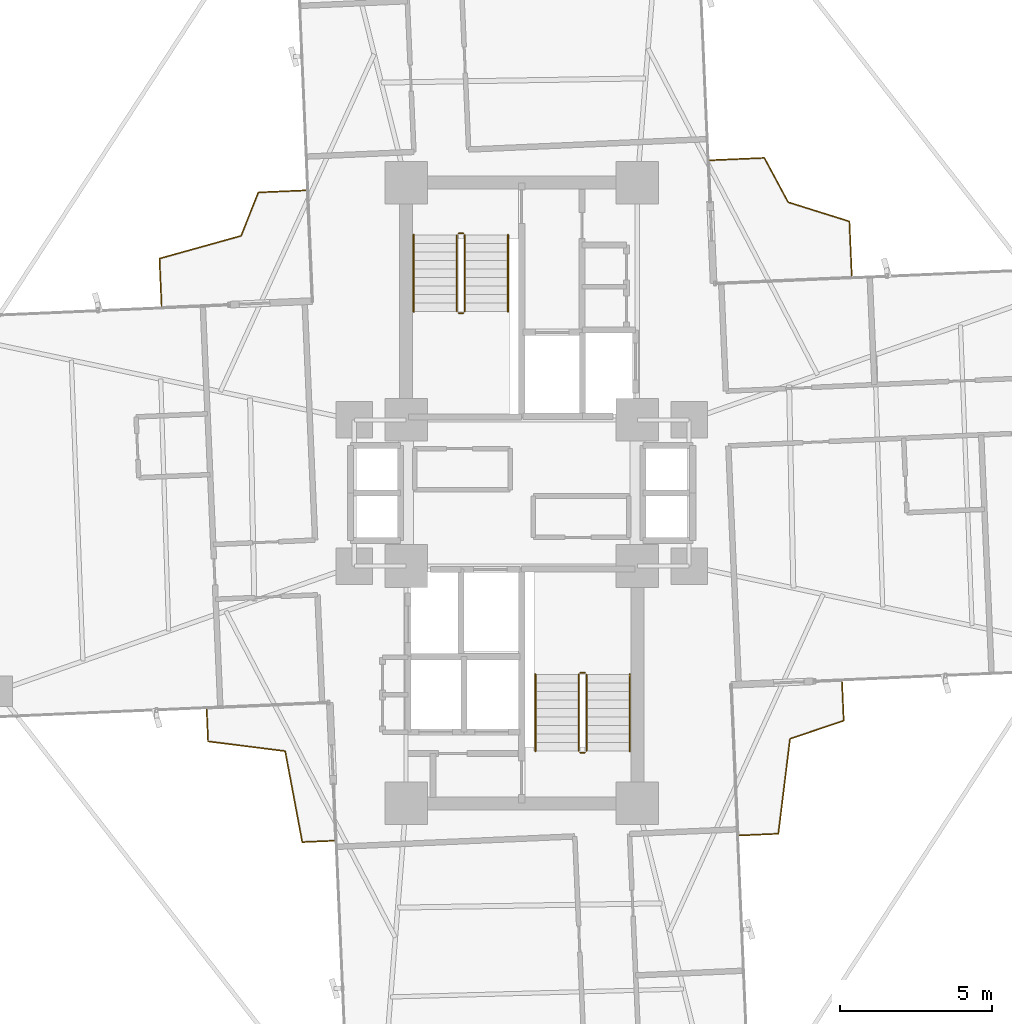
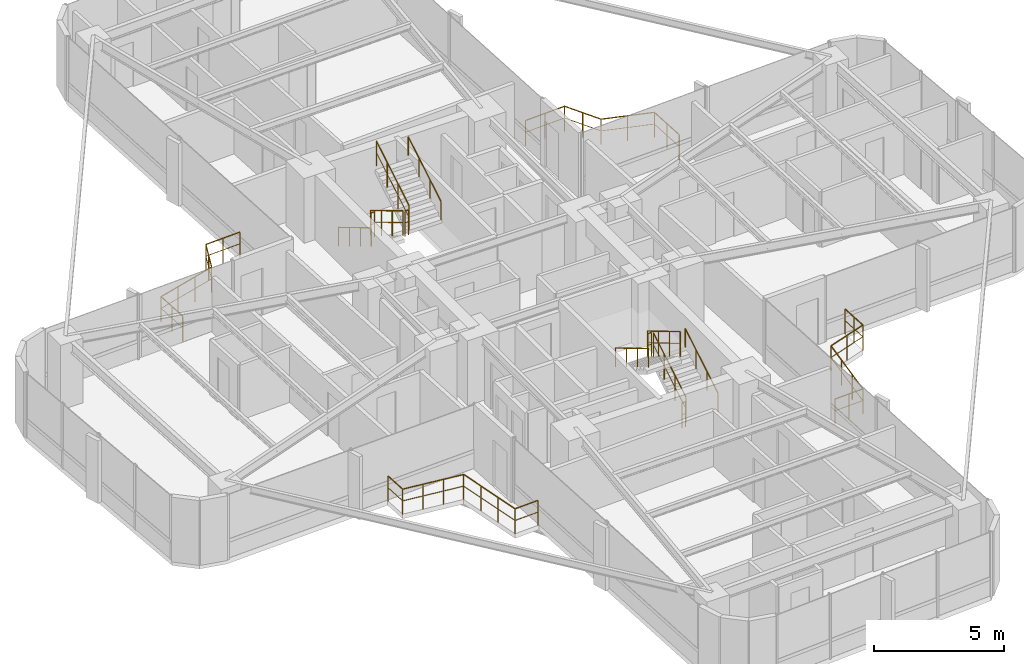
# One storey, part 27 of 27: 16 railings.
"""IFC4 building model written with IfcOpenShell, lengths in metres."""

from ifc_helpers import new_model, si_unit, direction, frame, origin, origin_2d, place, context, subcontext, project, spatial, circle, extrude, material, type_object, element, save


model = new_model("IFC4")

# Units and contexts
model_context = context("Model", 3, precision=1e-05, world=origin(), true_north=direction((0.0, 1.0)))
body_context = subcontext(model_context, "Body", "Model", "MODEL_VIEW")
ifc_project = project(units=[si_unit("LENGTHUNIT", "METRE"), si_unit("AREAUNIT", "SQUARE_METRE"), si_unit("VOLUMEUNIT", "CUBIC_METRE"), si_unit("PLANEANGLEUNIT", "RADIAN"), si_unit("MASSUNIT", "GRAM", prefix="KILO")], contexts=[model_context])

# Site, building, storey
site_placement = place(None, origin())
site = spatial("IfcSite", under=ifc_project, at=site_placement, CompositionType="ELEMENT")
building_placement = place(site_placement, origin())
building = spatial("IfcBuilding", under=site, at=building_placement, Name="Sahyath Konkavel Grand Hotel", CompositionType="ELEMENT")
storey_placement = place(building_placement, frame((0.0, 0.0, 103.60009765625)))
storey = spatial("IfcBuildingStorey", under=building, at=storey_placement, Name="L28", CompositionType="ELEMENT", Elevation=103.60009765625)

# Railings
ifc_material_1 = material(Name="Anodised Bronze Aluminium", Category="aluminium")
railing_type_1 = type_object("IfcRailingType", Name="RLG-BALC-1200", PredefinedType="GUARDRAIL", material=ifc_material_1)
railing_1_placement = place(storey_placement, frame((10.845947265625, 7.139892578125, 0.0)))
element("IfcRailing", 1, at=railing_1_placement, inside=storey, type_object=railing_type_1, Name="L28 Winter-Garden Guard NE", PredefinedType="GUARDRAIL", context=body_context, shape_type="SweptSolid", body=[
    extrude(circle(Radius=0.02392578125, at=origin_2d()), frame((0.0, 0.001953125, 1.17578125), z_axis=(-0.043603311881, 0.999048923323, 0.0), x_axis=(-0.999048923323, -0.043603311881, 0.0)), (0.0, 0.0, 1.0), 1.7822265625),
    extrude(circle(Radius=0.01416015625, at=origin_2d()), frame((0.0, 0.001953125, 0.6240234375), z_axis=(-0.043603311881, 0.999048923323, 0.0), x_axis=(-0.999048923323, -0.043603311881, 0.0)), (0.0, 0.0, 1.0), 1.7822265625),
    extrude(circle(Radius=0.02392578125, at=origin_2d()), frame((-0.079833984375, 1.784912109375, 1.17578125), z_axis=(-0.95424692245, 0.299019750175, 0.0), x_axis=(-0.299019750175, -0.95424692245, 0.0)), (0.0, 0.0, 1.0), 2.10498046875),
    extrude(circle(Radius=0.01416015625, at=origin_2d()), frame((-0.079833984375, 1.784912109375, 0.6240234375), z_axis=(-0.95424692245, 0.299019750175, 0.0), x_axis=(-0.299019750175, -0.95424692245, 0.0)), (0.0, 0.0, 1.0), 2.10498046875),
    extrude(circle(Radius=0.02392578125, at=origin_2d()), frame((-2.09130859375, 2.416748046875, 1.17578125), z_axis=(-0.473192441736, 0.880959087066, 0.0), x_axis=(-0.880959087066, -0.473192441736, 0.0)), (0.0, 0.0, 1.0), 1.649169921875),
    extrude(circle(Radius=0.01416015625, at=origin_2d()), frame((-2.09130859375, 2.416748046875, 0.6240234375), z_axis=(-0.473192441736, 0.880959087066, 0.0), x_axis=(-0.880959087066, -0.473192441736, 0.0)), (0.0, 0.0, 1.0), 1.649169921875),
    extrude(circle(Radius=0.02392578125, at=origin_2d()), frame((-2.87451171875, 3.871337890625, 1.17578125), z_axis=(-0.999048923323, -0.043603311881, 0.0), x_axis=(0.043603311881, -0.999048923323, 0.0)), (0.0, 0.0, 1.0), 1.7822265625),
    extrude(circle(Radius=0.01416015625, at=origin_2d()), frame((-2.87451171875, 3.871337890625, 0.6240234375), z_axis=(-0.999048923323, -0.043603311881, 0.0), x_axis=(0.043603311881, -0.999048923323, 0.0)), (0.0, 0.0, 1.0), 1.7822265625),
    extrude(circle(Radius=0.02099609375, at=origin_2d()), origin(), (0.0, 0.0, 1.0), 1.15185546875),
    extrude(circle(Radius=0.02099609375, at=origin_2d()), frame((-0.0390625, 0.89208984375, 0.0)), (0.0, 0.0, 1.0), 1.15185546875),
    extrude(circle(Radius=0.02099609375, at=origin_2d()), frame((-0.077880859375, 1.784423828125, 0.0)), (0.0, 0.0, 1.0), 1.15185546875),
    extrude(circle(Radius=0.02099609375, at=origin_2d()), frame((-1.083984375, 2.099609375, 0.0)), (0.0, 0.0, 1.0), 1.15185546875),
    extrude(circle(Radius=0.02099609375, at=origin_2d()), frame((-2.09033203125, 2.4150390625, 0.0)), (0.0, 0.0, 1.0), 1.15185546875),
    extrude(circle(Radius=0.02099609375, at=origin_2d()), frame((-2.4814453125, 3.14306640625, 0.0)), (0.0, 0.0, 1.0), 1.15185546875),
    extrude(circle(Radius=0.02099609375, at=origin_2d()), frame((-2.87255859375, 3.871337890625, 0.0)), (0.0, 0.0, 1.0), 1.15185546875),
    extrude(circle(Radius=0.02099609375, at=origin_2d()), frame((-3.7646484375, 3.83251953125, 0.0)), (0.0, 0.0, 1.0), 1.15185546875),
    extrude(circle(Radius=0.02099609375, at=origin_2d()), frame((-4.656982421875, 3.79345703125, 0.0)), (0.0, 0.0, 1.0), 1.15185546875),
])
railing_2_placement = place(storey_placement, frame((-7.1005859375, 9.94482421875, 0.0)))
element("IfcRailing", 2, at=railing_2_placement, inside=storey, type_object=railing_type_1, Name="L28 Winter-Garden Guard NW", PredefinedType="GUARDRAIL", context=body_context, shape_type="SweptSolid", body=[
    extrude(circle(Radius=0.02392578125, at=origin_2d()), frame((-0.001953125, 0.0, 1.17578125), z_axis=(-0.999047849254, -0.043627914246, 0.0), x_axis=(0.043627914246, -0.999047849254, 0.0)), (0.0, 0.0, 1.0), 1.5517578125),
    extrude(circle(Radius=0.01416015625, at=origin_2d()), frame((-0.001953125, 0.0, 0.6240234375), z_axis=(-0.999047849254, -0.043627914246, 0.0), x_axis=(0.043627914246, -0.999047849254, 0.0)), (0.0, 0.0, 1.0), 1.5517578125),
    extrude(circle(Radius=0.02392578125, at=origin_2d()), frame((-1.554931640625, -0.06982421875, 1.17578125), z_axis=(-0.369004673144, -0.929427539509, 0.0), x_axis=(0.929427539509, -0.369004673144, 0.0)), (0.0, 0.0, 1.0), 1.53173828125),
    extrude(circle(Radius=0.01416015625, at=origin_2d()), frame((-1.554931640625, -0.06982421875, 0.6240234375), z_axis=(-0.369004673144, -0.929427539509, 0.0), x_axis=(0.929427539509, -0.369004673144, 0.0)), (0.0, 0.0, 1.0), 1.53173828125),
    extrude(circle(Radius=0.02392578125, at=origin_2d()), frame((-2.122802734375, -1.49560546875, 1.17578125), z_axis=(-0.963410993027, -0.268028465868, 0.0), x_axis=(0.268028465868, -0.963410993027, 0.0)), (0.0, 0.0, 1.0), 2.77880859375),
    extrude(circle(Radius=0.01416015625, at=origin_2d()), frame((-2.122802734375, -1.49560546875, 0.6240234375), z_axis=(-0.963410993027, -0.268028465868, 0.0), x_axis=(0.268028465868, -0.963410993027, 0.0)), (0.0, 0.0, 1.0), 2.77880859375),
    extrude(circle(Radius=0.02392578125, at=origin_2d()), frame((-4.8017578125, -2.242919921875, 1.17578125), z_axis=(0.043627914246, -0.999047849254, 0.0), x_axis=(0.999047849254, 0.043627914246, 0.0)), (0.0, 0.0, 1.0), 1.5517578125),
    extrude(circle(Radius=0.01416015625, at=origin_2d()), frame((-4.8017578125, -2.242919921875, 0.6240234375), z_axis=(0.043627914246, -0.999047849254, 0.0), x_axis=(0.999047849254, 0.043627914246, 0.0)), (0.0, 0.0, 1.0), 1.5517578125),
    extrude(circle(Radius=0.02099609375, at=origin_2d()), origin(), (0.0, 0.0, 1.0), 1.15185546875),
    extrude(circle(Radius=0.02099609375, at=origin_2d()), frame((-0.777099609375, -0.033935546875, 0.0)), (0.0, 0.0, 1.0), 1.15185546875),
    extrude(circle(Radius=0.02099609375, at=origin_2d()), frame((-1.55419921875, -0.06787109375, 0.0)), (0.0, 0.0, 1.0), 1.15185546875),
    extrude(circle(Radius=0.02099609375, at=origin_2d()), frame((-1.83740234375, -0.781494140625, 0.0)), (0.0, 0.0, 1.0), 1.15185546875),
    extrude(circle(Radius=0.02099609375, at=origin_2d()), frame((-2.120849609375, -1.4951171875, 0.0)), (0.0, 0.0, 1.0), 1.15185546875),
    extrude(circle(Radius=0.02099609375, at=origin_2d()), frame((-3.014404296875, -1.74365234375, 0.0)), (0.0, 0.0, 1.0), 1.15185546875),
    extrude(circle(Radius=0.02099609375, at=origin_2d()), frame((-3.908203125, -1.992431640625, 0.0)), (0.0, 0.0, 1.0), 1.15185546875),
    extrude(circle(Radius=0.02099609375, at=origin_2d()), frame((-4.8017578125, -2.240966796875, 0.0)), (0.0, 0.0, 1.0), 1.15185546875),
    extrude(circle(Radius=0.02099609375, at=origin_2d()), frame((-4.767822265625, -3.01806640625, 0.0)), (0.0, 0.0, 1.0), 1.15185546875),
    extrude(circle(Radius=0.02099609375, at=origin_2d()), frame((-4.73388671875, -3.795166015625, 0.0)), (0.0, 0.0, 1.0), 1.15185546875),
])
railing_3_placement = place(storey_placement, frame((-10.352294921875, -7.118408203125, 0.0)))
element("IfcRailing", 3, at=railing_3_placement, inside=storey, type_object=railing_type_1, Name="L28 Winter-Garden Guard SW", PredefinedType="GUARDRAIL", context=body_context, shape_type="SweptSolid", body=[
    extrude(circle(Radius=0.02392578125, at=origin_2d()), frame((0.0, -0.001953125, 1.17578125), z_axis=(0.04364994576, -0.999046886905, 0.0), x_axis=(0.999046886905, 0.04364994576, 0.0)), (0.0, 0.0, 1.0), 1.0419921875),
    extrude(circle(Radius=0.01416015625, at=origin_2d()), frame((0.0, -0.001953125, 0.6240234375), z_axis=(0.04364994576, -0.999046886905, 0.0), x_axis=(0.999046886905, 0.04364994576, 0.0)), (0.0, 0.0, 1.0), 1.0419921875),
    extrude(circle(Radius=0.02392578125, at=origin_2d()), frame((0.047607421875, -1.045166015625, 1.17578125), z_axis=(0.992124134389, -0.125258540483, 0.0), x_axis=(0.125258540483, 0.992124134389, 0.0)), (0.0, 0.0, 1.0), 2.54931640625),
    extrude(circle(Radius=0.01416015625, at=origin_2d()), frame((0.047607421875, -1.045166015625, 0.6240234375), z_axis=(0.992124134389, -0.125258540483, 0.0), x_axis=(0.125258540483, 0.992124134389, 0.0)), (0.0, 0.0, 1.0), 2.54931640625),
    extrude(circle(Radius=0.02392578125, at=origin_2d()), frame((2.579345703125, -1.36669921875, 1.17578125), z_axis=(0.184463008217, -0.982839457185, 0.0), x_axis=(0.982839457185, 0.184463008217, 0.0)), (0.0, 0.0, 1.0), 3.037353515625),
    extrude(circle(Radius=0.01416015625, at=origin_2d()), frame((2.579345703125, -1.36669921875, 0.6240234375), z_axis=(0.184463008217, -0.982839457185, 0.0), x_axis=(0.982839457185, 0.184463008217, 0.0)), (0.0, 0.0, 1.0), 3.037353515625),
    extrude(circle(Radius=0.02392578125, at=origin_2d()), frame((3.141845703125, -4.35400390625, 1.17578125), z_axis=(0.999057038997, 0.043416964779, 0.0), x_axis=(-0.043416964779, 0.999057038997, 0.0)), (0.0, 0.0, 1.0), 1.0419921875),
    extrude(circle(Radius=0.01416015625, at=origin_2d()), frame((3.141845703125, -4.35400390625, 0.6240234375), z_axis=(0.999057038997, 0.043416964779, 0.0), x_axis=(-0.043416964779, 0.999057038997, 0.0)), (0.0, 0.0, 1.0), 1.0419921875),
    extrude(circle(Radius=0.02099609375, at=origin_2d()), origin(), (0.0, 0.0, 1.0), 1.15185546875),
    extrude(circle(Radius=0.02099609375, at=origin_2d()), frame((0.045654296875, -1.044921875, 0.0)), (0.0, 0.0, 1.0), 1.15185546875),
    extrude(circle(Radius=0.02099609375, at=origin_2d()), frame((0.89013671875, -1.151611328125, 0.0)), (0.0, 0.0, 1.0), 1.15185546875),
    extrude(circle(Radius=0.02099609375, at=origin_2d()), frame((1.734375, -1.258056640625, 0.0)), (0.0, 0.0, 1.0), 1.15185546875),
    extrude(circle(Radius=0.02099609375, at=origin_2d()), frame((2.578857421875, -1.36474609375, 0.0)), (0.0, 0.0, 1.0), 1.15185546875),
    extrude(circle(Radius=0.02099609375, at=origin_2d()), frame((2.765869140625, -2.361083984375, 0.0)), (0.0, 0.0, 1.0), 1.15185546875),
    extrude(circle(Radius=0.02099609375, at=origin_2d()), frame((2.952880859375, -3.357666015625, 0.0)), (0.0, 0.0, 1.0), 1.15185546875),
    extrude(circle(Radius=0.02099609375, at=origin_2d()), frame((3.139892578125, -4.35400390625, 0.0)), (0.0, 0.0, 1.0), 1.15185546875),
    extrude(circle(Radius=0.02099609375, at=origin_2d()), frame((4.184814453125, -4.30859375, 0.0)), (0.0, 0.0, 1.0), 1.15185546875),
])
railing_4_placement = place(storey_placement, frame((7.15771484375, -11.25341796875, 0.0)))
element("IfcRailing", 4, at=railing_4_placement, inside=storey, type_object=railing_type_1, Name="L28 Winter-Garden Guard SE", PredefinedType="GUARDRAIL", context=body_context, shape_type="SweptSolid", body=[
    extrude(circle(Radius=0.02392578125, at=origin_2d()), frame((0.001953125, 0.0, 1.17578125), z_axis=(0.999048564181, 0.043611539849, 0.0), x_axis=(-0.043611539849, 0.999048564181, 0.0)), (0.0, 0.0, 1.0), 1.2724609375),
    extrude(circle(Radius=0.01416015625, at=origin_2d()), frame((0.001953125, 0.0, 0.6240234375), z_axis=(0.999048564181, 0.043611539849, 0.0), x_axis=(-0.043611539849, 0.999048564181, 0.0)), (0.0, 0.0, 1.0), 1.2724609375),
    extrude(circle(Radius=0.02392578125, at=origin_2d()), frame((1.275390625, 0.0576171875, 1.17578125), z_axis=(0.122217608811, 0.992503328003, 0.0), x_axis=(-0.992503328003, 0.122217608811, 0.0)), (0.0, 0.0, 1.0), 3.13818359375),
    extrude(circle(Radius=0.01416015625, at=origin_2d()), frame((1.275390625, 0.0576171875, 0.6240234375), z_axis=(0.122217608811, 0.992503328003, 0.0), x_axis=(-0.992503328003, 0.122217608811, 0.0)), (0.0, 0.0, 1.0), 3.13818359375),
    extrude(circle(Radius=0.02392578125, at=origin_2d()), frame((1.6611328125, 3.175048828125, 1.17578125), z_axis=(0.947218418868, 0.320588937671, 0.0), x_axis=(-0.320588937671, 0.947218418868, 0.0)), (0.0, 0.0, 1.0), 1.858642578125),
    extrude(circle(Radius=0.01416015625, at=origin_2d()), frame((1.6611328125, 3.175048828125, 0.6240234375), z_axis=(0.947218418868, 0.320588937671, 0.0), x_axis=(-0.320588937671, 0.947218418868, 0.0)), (0.0, 0.0, 1.0), 1.858642578125),
    extrude(circle(Radius=0.02392578125, at=origin_2d()), frame((3.423583984375, 3.7734375, 1.17578125), z_axis=(-0.043611539849, 0.999048564181, 0.0), x_axis=(-0.999048564181, -0.043611539849, 0.0)), (0.0, 0.0, 1.0), 1.2724609375),
    extrude(circle(Radius=0.01416015625, at=origin_2d()), frame((3.423583984375, 3.7734375, 0.6240234375), z_axis=(-0.043611539849, 0.999048564181, 0.0), x_axis=(-0.999048564181, -0.043611539849, 0.0)), (0.0, 0.0, 1.0), 1.2724609375),
    extrude(circle(Radius=0.02099609375, at=origin_2d()), origin(), (0.0, 0.0, 1.0), 1.15185546875),
    extrude(circle(Radius=0.02099609375, at=origin_2d()), frame((0.6376953125, 0.02783203125, 0.0)), (0.0, 0.0, 1.0), 1.15185546875),
    extrude(circle(Radius=0.02099609375, at=origin_2d()), frame((1.275146484375, 0.0556640625, 0.0)), (0.0, 0.0, 1.0), 1.15185546875),
    extrude(circle(Radius=0.02099609375, at=origin_2d()), frame((1.403076171875, 1.09521484375, 0.0)), (0.0, 0.0, 1.0), 1.15185546875),
    extrude(circle(Radius=0.02099609375, at=origin_2d()), frame((1.53125, 2.134765625, 0.0)), (0.0, 0.0, 1.0), 1.15185546875),
    extrude(circle(Radius=0.02099609375, at=origin_2d()), frame((1.6591796875, 3.17431640625, 0.0)), (0.0, 0.0, 1.0), 1.15185546875),
    extrude(circle(Radius=0.02099609375, at=origin_2d()), frame((2.54150390625, 3.472900390625, 0.0)), (0.0, 0.0, 1.0), 1.15185546875),
    extrude(circle(Radius=0.02099609375, at=origin_2d()), frame((3.423583984375, 3.771484375, 0.0)), (0.0, 0.0, 1.0), 1.15185546875),
    extrude(circle(Radius=0.02099609375, at=origin_2d()), frame((3.395751953125, 4.4091796875, 0.0)), (0.0, 0.0, 1.0), 1.15185546875),
    extrude(circle(Radius=0.02099609375, at=origin_2d()), frame((3.367919921875, 5.046630859375, 0.0)), (0.0, 0.0, 1.0), 1.15185546875),
])
ifc_material_2 = material(Name="Steel E350", Category="steel")
railing_type_2 = type_object("IfcRailingType", Name="RLG-STAIR-GRD", PredefinedType="GUARDRAIL", material=ifc_material_2)
railing_5_placement = place(storey_placement, frame((-2.1298828125, 8.47998046875, 0.16748046875)))
element("IfcRailing", 5, at=railing_5_placement, inside=storey, type_object=railing_type_2, Name="L28 ST-1 stair guard 1", PredefinedType="GUARDRAIL", context=body_context, shape_type="SweptSolid", body=[
    extrude(circle(Radius=0.02392578125, at=origin_2d()), frame((0.0, -0.001708984375, 1.177001953125), z_axis=(0.0, -0.858196387827, 0.513321497621), x_axis=(1.0, 0.0, 0.0)), (0.0, 0.0, 1.0), 2.932373046875),
    extrude(circle(Radius=0.01416015625, at=origin_2d()), frame((0.0, -0.001708984375, 0.625), z_axis=(0.0, -0.858196387827, 0.513321497621), x_axis=(1.0, 0.0, 0.0)), (0.0, 0.0, 1.0), 2.932373046875),
    extrude(circle(Radius=0.02099609375, at=origin_2d()), origin(), (0.0, 0.0, 1.0), 1.15185546875),
    extrude(circle(Radius=0.02099609375, at=origin_2d()), frame((0.0, -0.840087890625, 0.50244140625)), (0.0, 0.0, 1.0), 1.15185546875),
    extrude(circle(Radius=0.02099609375, at=origin_2d()), frame((0.0, -1.679931640625, 1.0048828125)), (0.0, 0.0, 1.0), 1.15185546875),
    extrude(circle(Radius=0.02099609375, at=origin_2d()), frame((0.0, -2.52001953125, 1.50732421875)), (0.0, 0.0, 1.0), 1.15185546875),
])
railing_6_placement = place(storey_placement, frame((-2.080078125, 5.909912109375, 1.6748046875)))
element("IfcRailing", 6, at=railing_6_placement, inside=storey, type_object=railing_type_2, Name="L28 ST-1 stair guard 2", PredefinedType="GUARDRAIL", context=body_context, shape_type="SweptSolid", body=[
    extrude(circle(Radius=0.02392578125, at=origin_2d()), frame((0.001953125, 0.0, 1.17578125), z_axis=(1.0, 0.0, 0.0), x_axis=(0.0, 1.0, 0.0)), (0.0, 0.0, 1.0), 0.15625),
    extrude(circle(Radius=0.01416015625, at=origin_2d()), frame((0.001953125, 0.0, 0.6240234375), z_axis=(1.0, 0.0, 0.0), x_axis=(0.0, 1.0, 0.0)), (0.0, 0.0, 1.0), 0.15625),
    extrude(circle(Radius=0.02099609375, at=origin_2d()), origin(), (0.0, 0.0, 1.0), 1.15185546875),
    extrude(circle(Radius=0.02099609375, at=origin_2d()), frame((0.16015625, 0.0, 0.0)), (0.0, 0.0, 1.0), 1.15185546875),
])
railing_7_placement = place(storey_placement, frame((-1.8701171875, 5.9599609375, 1.84228515625)))
element("IfcRailing", 7, at=railing_7_placement, inside=storey, type_object=railing_type_2, Name="L28 ST-1 stair guard 3", PredefinedType="GUARDRAIL", context=body_context, shape_type="SweptSolid", body=[
    extrude(circle(Radius=0.02392578125, at=origin_2d()), frame((0.0, 0.001708984375, 1.177001953125), z_axis=(0.0, 0.858159760407, 0.513382728203), x_axis=(-1.0, 0.0, 0.0)), (0.0, 0.0, 1.0), 2.9326171875),
    extrude(circle(Radius=0.01416015625, at=origin_2d()), frame((0.0, 0.001708984375, 0.625), z_axis=(0.0, 0.858159760407, 0.513382728203), x_axis=(-1.0, 0.0, 0.0)), (0.0, 0.0, 1.0), 2.9326171875),
    extrude(circle(Radius=0.02099609375, at=origin_2d()), origin(), (0.0, 0.0, 1.0), 1.15185546875),
    extrude(circle(Radius=0.02099609375, at=origin_2d()), frame((0.0, 0.840087890625, 0.50244140625)), (0.0, 0.0, 1.0), 1.15185546875),
    extrude(circle(Radius=0.02099609375, at=origin_2d()), frame((0.0, 1.679931640625, 1.005126953125)), (0.0, 0.0, 1.0), 1.15185546875),
    extrude(circle(Radius=0.02099609375, at=origin_2d()), frame((0.0, 2.52001953125, 1.507568359375)), (0.0, 0.0, 1.0), 1.15185546875),
])
railing_8_placement = place(storey_placement, frame((-2.080078125, 8.530029296875, 0.0)))
element("IfcRailing", 8, at=railing_8_placement, inside=storey, type_object=railing_type_2, Name="L28 ST-1 stair guard 4", PredefinedType="GUARDRAIL", context=body_context, shape_type="SweptSolid", body=[
    extrude(circle(Radius=0.02392578125, at=origin_2d()), frame((0.001953125, 0.0, 1.17578125), z_axis=(1.0, 0.0, 0.0), x_axis=(0.0, 1.0, 0.0)), (0.0, 0.0, 1.0), 0.15625),
    extrude(circle(Radius=0.01416015625, at=origin_2d()), frame((0.001953125, 0.0, 0.6240234375), z_axis=(1.0, 0.0, 0.0), x_axis=(0.0, 1.0, 0.0)), (0.0, 0.0, 1.0), 0.15625),
    extrude(circle(Radius=0.02099609375, at=origin_2d()), origin(), (0.0, 0.0, 1.0), 1.15185546875),
    extrude(circle(Radius=0.02099609375, at=origin_2d()), frame((0.16015625, 0.0, 0.0)), (0.0, 0.0, 1.0), 1.15185546875),
])
railing_9_placement = place(storey_placement, frame((2.1298828125, -8.47998046875, 0.16748046875)))
element("IfcRailing", 9, at=railing_9_placement, inside=storey, type_object=railing_type_2, Name="L28 ST-2 stair guard 1", PredefinedType="GUARDRAIL", context=body_context, shape_type="SweptSolid", body=[
    extrude(circle(Radius=0.02392578125, at=origin_2d()), frame((0.0, 0.001708984375, 1.177001953125), z_axis=(0.0, 0.858196387827, 0.513321497621), x_axis=(-1.0, 0.0, 0.0)), (0.0, 0.0, 1.0), 2.932373046875),
    extrude(circle(Radius=0.01416015625, at=origin_2d()), frame((0.0, 0.001708984375, 0.625), z_axis=(0.0, 0.858196387827, 0.513321497621), x_axis=(-1.0, 0.0, 0.0)), (0.0, 0.0, 1.0), 2.932373046875),
    extrude(circle(Radius=0.02099609375, at=origin_2d()), origin(), (0.0, 0.0, 1.0), 1.15185546875),
    extrude(circle(Radius=0.02099609375, at=origin_2d()), frame((0.0, 0.840087890625, 0.50244140625)), (0.0, 0.0, 1.0), 1.15185546875),
    extrude(circle(Radius=0.02099609375, at=origin_2d()), frame((0.0, 1.679931640625, 1.0048828125)), (0.0, 0.0, 1.0), 1.15185546875),
    extrude(circle(Radius=0.02099609375, at=origin_2d()), frame((0.0, 2.52001953125, 1.50732421875)), (0.0, 0.0, 1.0), 1.15185546875),
])
railing_10_placement = place(storey_placement, frame((2.080078125, -5.909912109375, 1.6748046875)))
element("IfcRailing", 10, at=railing_10_placement, inside=storey, type_object=railing_type_2, Name="L28 ST-2 stair guard 2", PredefinedType="GUARDRAIL", context=body_context, shape_type="SweptSolid", body=[
    extrude(circle(Radius=0.02392578125, at=origin_2d()), frame((-0.001953125, 0.0, 1.17578125), z_axis=(-1.0, 0.0, 0.0), x_axis=(0.0, -1.0, 0.0)), (0.0, 0.0, 1.0), 0.15625),
    extrude(circle(Radius=0.01416015625, at=origin_2d()), frame((-0.001953125, 0.0, 0.6240234375), z_axis=(-1.0, 0.0, 0.0), x_axis=(0.0, -1.0, 0.0)), (0.0, 0.0, 1.0), 0.15625),
    extrude(circle(Radius=0.02099609375, at=origin_2d()), origin(), (0.0, 0.0, 1.0), 1.15185546875),
    extrude(circle(Radius=0.02099609375, at=origin_2d()), frame((-0.16015625, 0.0, 0.0)), (0.0, 0.0, 1.0), 1.15185546875),
])
railing_11_placement = place(storey_placement, frame((1.8701171875, -5.9599609375, 1.84228515625)))
element("IfcRailing", 11, at=railing_11_placement, inside=storey, type_object=railing_type_2, Name="L28 ST-2 stair guard 3", PredefinedType="GUARDRAIL", context=body_context, shape_type="SweptSolid", body=[
    extrude(circle(Radius=0.02392578125, at=origin_2d()), frame((0.0, -0.001708984375, 1.177001953125), z_axis=(0.0, -0.858159760407, 0.513382728203), x_axis=(1.0, 0.0, 0.0)), (0.0, 0.0, 1.0), 2.9326171875),
    extrude(circle(Radius=0.01416015625, at=origin_2d()), frame((0.0, -0.001708984375, 0.625), z_axis=(0.0, -0.858159760407, 0.513382728203), x_axis=(1.0, 0.0, 0.0)), (0.0, 0.0, 1.0), 2.9326171875),
    extrude(circle(Radius=0.02099609375, at=origin_2d()), origin(), (0.0, 0.0, 1.0), 1.15185546875),
    extrude(circle(Radius=0.02099609375, at=origin_2d()), frame((0.0, -0.840087890625, 0.50244140625)), (0.0, 0.0, 1.0), 1.15185546875),
    extrude(circle(Radius=0.02099609375, at=origin_2d()), frame((0.0, -1.679931640625, 1.005126953125)), (0.0, 0.0, 1.0), 1.15185546875),
    extrude(circle(Radius=0.02099609375, at=origin_2d()), frame((0.0, -2.52001953125, 1.507568359375)), (0.0, 0.0, 1.0), 1.15185546875),
])
railing_12_placement = place(storey_placement, frame((2.080078125, -8.530029296875, 0.0)))
element("IfcRailing", 12, at=railing_12_placement, inside=storey, type_object=railing_type_2, Name="L28 ST-2 stair guard 4", PredefinedType="GUARDRAIL", context=body_context, shape_type="SweptSolid", body=[
    extrude(circle(Radius=0.02392578125, at=origin_2d()), frame((-0.001953125, 0.0, 1.17578125), z_axis=(-1.0, 0.0, 0.0), x_axis=(0.0, -1.0, 0.0)), (0.0, 0.0, 1.0), 0.15625),
    extrude(circle(Radius=0.01416015625, at=origin_2d()), frame((-0.001953125, 0.0, 0.6240234375), z_axis=(-1.0, 0.0, 0.0), x_axis=(0.0, -1.0, 0.0)), (0.0, 0.0, 1.0), 0.15625),
    extrude(circle(Radius=0.02099609375, at=origin_2d()), origin(), (0.0, 0.0, 1.0), 1.15185546875),
    extrude(circle(Radius=0.02099609375, at=origin_2d()), frame((-0.16015625, 0.0, 0.0)), (0.0, 0.0, 1.0), 1.15185546875),
])
railing_type_3 = type_object("IfcRailingType", Name="RLG-STAIR-HND", PredefinedType="HANDRAIL", material=ifc_material_1)
railing_13_placement = place(storey_placement, frame((-3.550048828125, 8.47998046875, 0.16748046875)))
element("IfcRailing", 13, at=railing_13_placement, inside=storey, type_object=railing_type_3, Name="L28 ST-1 stair handrail 1", PredefinedType="HANDRAIL", context=body_context, shape_type="SweptSolid", body=[
    extrude(circle(Radius=0.02392578125, at=origin_2d()), frame((0.0, -0.001708984375, 0.876953125), z_axis=(0.0, -0.858196387827, 0.513321497621), x_axis=(1.0, 0.0, 0.0)), (0.0, 0.0, 1.0), 2.932373046875),
    extrude(circle(Radius=0.02099609375, at=origin_2d()), origin(), (0.0, 0.0, 1.0), 0.851806640625),
    extrude(circle(Radius=0.02099609375, at=origin_2d()), frame((0.0, -0.840087890625, 0.50244140625)), (0.0, 0.0, 1.0), 0.851806640625),
    extrude(circle(Radius=0.02099609375, at=origin_2d()), frame((0.0, -1.679931640625, 1.0048828125)), (0.0, 0.0, 1.0), 0.851806640625),
    extrude(circle(Radius=0.02099609375, at=origin_2d()), frame((0.0, -2.52001953125, 1.50732421875)), (0.0, 0.0, 1.0), 0.851806640625),
])
railing_14_placement = place(storey_placement, frame((-0.449951171875, 5.9599609375, 1.84228515625)))
element("IfcRailing", 14, at=railing_14_placement, inside=storey, type_object=railing_type_3, Name="L28 ST-1 stair handrail 2", PredefinedType="HANDRAIL", context=body_context, shape_type="SweptSolid", body=[
    extrude(circle(Radius=0.02392578125, at=origin_2d()), frame((0.0, 0.001708984375, 0.876953125), z_axis=(0.0, 0.858159760407, 0.513382728203), x_axis=(-1.0, 0.0, 0.0)), (0.0, 0.0, 1.0), 2.9326171875),
    extrude(circle(Radius=0.02099609375, at=origin_2d()), origin(), (0.0, 0.0, 1.0), 0.851806640625),
    extrude(circle(Radius=0.02099609375, at=origin_2d()), frame((0.0, 0.840087890625, 0.50244140625)), (0.0, 0.0, 1.0), 0.851806640625),
    extrude(circle(Radius=0.02099609375, at=origin_2d()), frame((0.0, 1.679931640625, 1.005126953125)), (0.0, 0.0, 1.0), 0.851806640625),
    extrude(circle(Radius=0.02099609375, at=origin_2d()), frame((0.0, 2.52001953125, 1.507568359375)), (0.0, 0.0, 1.0), 0.851806640625),
])
railing_15_placement = place(storey_placement, frame((3.550048828125, -8.47998046875, 0.16748046875)))
element("IfcRailing", 15, at=railing_15_placement, inside=storey, type_object=railing_type_3, Name="L28 ST-2 stair handrail 1", PredefinedType="HANDRAIL", context=body_context, shape_type="SweptSolid", body=[
    extrude(circle(Radius=0.02392578125, at=origin_2d()), frame((0.0, 0.001708984375, 0.876953125), z_axis=(0.0, 0.858196387827, 0.513321497621), x_axis=(-1.0, 0.0, 0.0)), (0.0, 0.0, 1.0), 2.932373046875),
    extrude(circle(Radius=0.02099609375, at=origin_2d()), origin(), (0.0, 0.0, 1.0), 0.851806640625),
    extrude(circle(Radius=0.02099609375, at=origin_2d()), frame((0.0, 0.840087890625, 0.50244140625)), (0.0, 0.0, 1.0), 0.851806640625),
    extrude(circle(Radius=0.02099609375, at=origin_2d()), frame((0.0, 1.679931640625, 1.0048828125)), (0.0, 0.0, 1.0), 0.851806640625),
    extrude(circle(Radius=0.02099609375, at=origin_2d()), frame((0.0, 2.52001953125, 1.50732421875)), (0.0, 0.0, 1.0), 0.851806640625),
])
railing_16_placement = place(storey_placement, frame((0.449951171875, -5.9599609375, 1.84228515625)))
element("IfcRailing", 16, at=railing_16_placement, inside=storey, type_object=railing_type_3, Name="L28 ST-2 stair handrail 2", PredefinedType="HANDRAIL", context=body_context, shape_type="SweptSolid", body=[
    extrude(circle(Radius=0.02392578125, at=origin_2d()), frame((0.0, -0.001708984375, 0.876953125), z_axis=(0.0, -0.858159760407, 0.513382728203), x_axis=(1.0, 0.0, 0.0)), (0.0, 0.0, 1.0), 2.9326171875),
    extrude(circle(Radius=0.02099609375, at=origin_2d()), origin(), (0.0, 0.0, 1.0), 0.851806640625),
    extrude(circle(Radius=0.02099609375, at=origin_2d()), frame((0.0, -0.840087890625, 0.50244140625)), (0.0, 0.0, 1.0), 0.851806640625),
    extrude(circle(Radius=0.02099609375, at=origin_2d()), frame((0.0, -1.679931640625, 1.005126953125)), (0.0, 0.0, 1.0), 0.851806640625),
    extrude(circle(Radius=0.02099609375, at=origin_2d()), frame((0.0, -2.52001953125, 1.507568359375)), (0.0, 0.0, 1.0), 0.851806640625),
])

save(model, "model.ifc")
